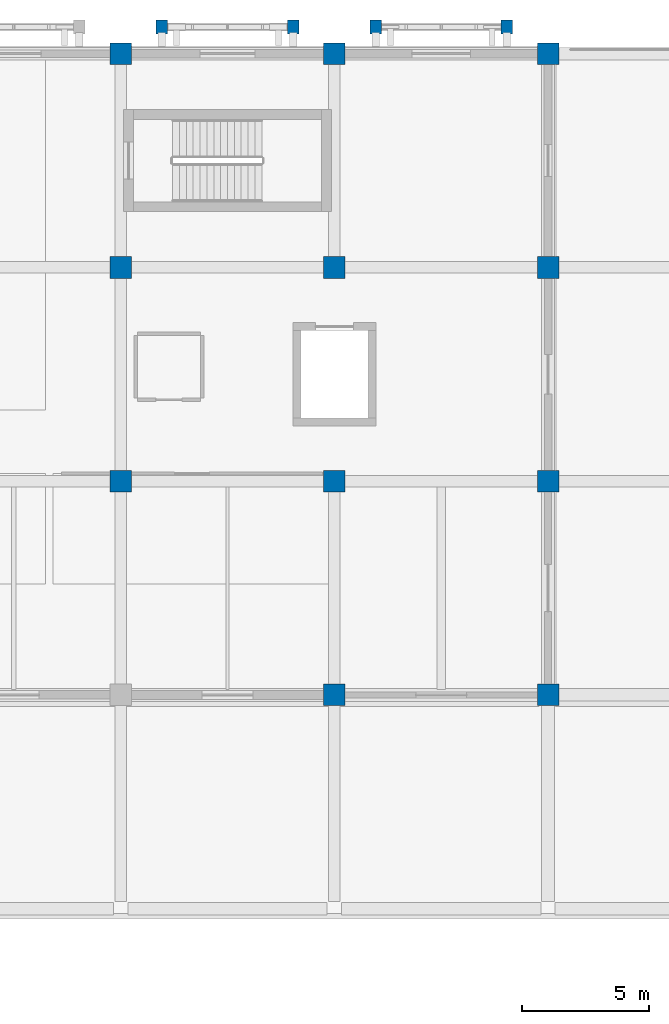
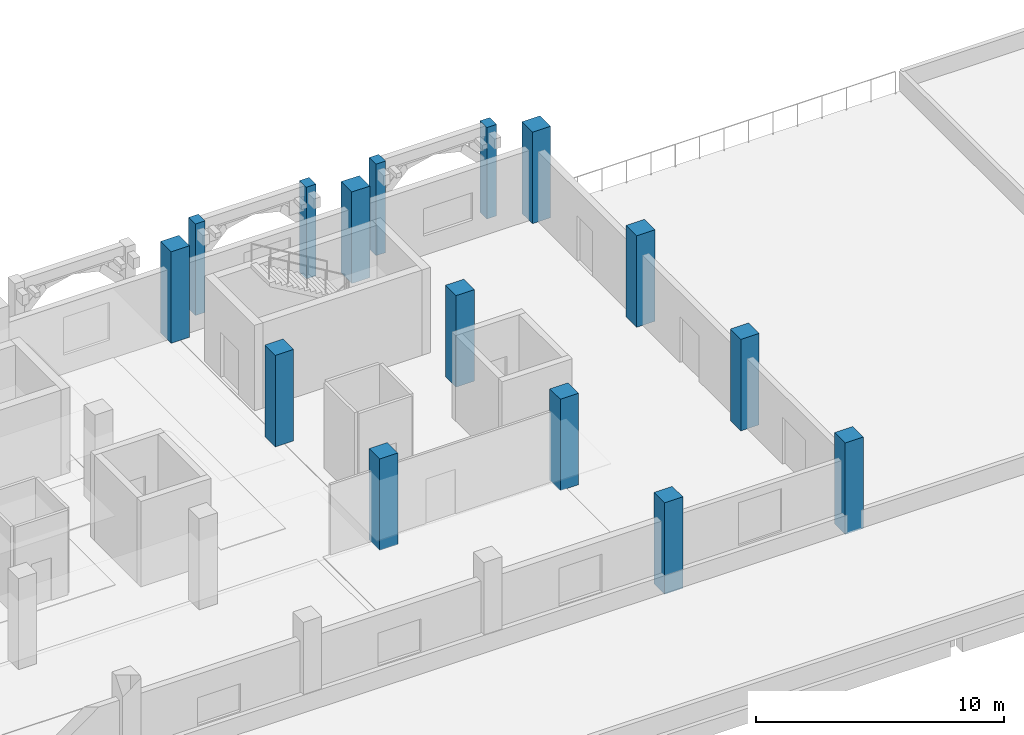
# One storey, part 2 of 129: 15 columns.
"""IFC4 building model written with IfcOpenShell, lengths in metres."""

import ifcopenshell
import ifcopenshell.guid

model = None  # the IFC model being written
_history = None  # IfcOwnerHistory: only IFC2X3 demands one
_inside = {}  # id of a spatial element -> (the spatial element, [elements in it])
_under = {}  # id of a project, library or spatial element -> (it, [spatial elements below it])
_declared = {}  # id of a project -> (the project, [libraries it declares])
_typed = {}  # id of a type object -> (the type object, [elements of that type])
_made_of = {}  # id of a material, layer set ... -> (it, [elements and type objects made of it])


def new_model(schema):
    """Start an empty IFC model of exactly this schema.

    Asked for "IFC4X3", IfcOpenShell would pick the latest addendum, in which some entities
    have other attributes; the version numbers below select the first issue.
    IFC2X3 requires an IfcOwnerHistory on every rooted entity: one is made here for all.
    """
    global model, _history
    if schema == "IFC4X3":
        model = ifcopenshell.file(schema_version=(4, 3, 0, 0))
    else:
        model = ifcopenshell.file(schema=schema)
    _inside.clear()
    _under.clear()
    _declared.clear()
    _typed.clear()
    _made_of.clear()
    _history = None
    if model.schema == "IFC2X3":
        org = make("IfcOrganization", Name="unknown")
        user = make(
            "IfcPersonAndOrganization",
            ThePerson=make("IfcPerson", FamilyName="unknown"),
            TheOrganization=org,
        )
        app = make(
            "IfcApplication",
            ApplicationDeveloper=org,
            Version="unknown",
            ApplicationFullName="unknown",
            ApplicationIdentifier="unknown",
        )
        _history = make(
            "IfcOwnerHistory",
            OwningUser=user,
            OwningApplication=app,
            ChangeAction="ADDED",
            CreationDate=0,
        )
    return model


def make(cls, **values):
    """One entity of the class cls with the attributes given. An attribute that is None is left unset."""
    return model.create_entity(
        cls, **{name: value for name, value in values.items() if value is not None}
    )


def rooted(cls, **values):
    """An entity with a GlobalId (a new one), such as an element, a storey or a relation."""
    return make(cls, GlobalId=ifcopenshell.guid.new(), OwnerHistory=_history, **values)


def si_unit(unit_type, name, prefix=None):
    """IfcSIUnit, for example si_unit("LENGTHUNIT", "METRE", prefix="MILLI")."""
    return make("IfcSIUnit", UnitType=unit_type, Prefix=prefix, Name=name)


def assignment(units):
    """IfcUnitAssignment: the units of a project."""
    return None if units is None else make("IfcUnitAssignment", Units=units)


def point(xyz):
    """IfcCartesianPoint."""
    return None if xyz is None else make("IfcCartesianPoint", Coordinates=xyz)


def direction(xyz):
    """IfcDirection."""
    return None if xyz is None else make("IfcDirection", DirectionRatios=xyz)


def frame(location, z_axis=None, x_axis=None):
    """IfcAxis2Placement3D, a coordinate frame: its origin and axes. An axis left out is left unset."""
    return make(
        "IfcAxis2Placement3D",
        Location=point(location),
        Axis=direction(z_axis),
        RefDirection=direction(x_axis),
    )


def frame_2d(location, x_axis=None):
    """IfcAxis2Placement2D, a coordinate frame in the plane: its origin and x axis."""
    return make(
        "IfcAxis2Placement2D", Location=point(location), RefDirection=direction(x_axis)
    )


def origin():
    """The frame at (0, 0, 0) with its axes left unset."""
    return frame((0.0, 0.0, 0.0))


def origin_2d():
    """The frame at (0, 0) in the plane with its x axis left unset."""
    return frame_2d((0.0, 0.0))


def place(relative_to, where):
    """IfcLocalPlacement: puts the frame where relative to a parent placement (None: the world)."""
    return make(
        "IfcLocalPlacement", PlacementRelTo=relative_to, RelativePlacement=where
    )


def context(
    kind, dimensions, precision=None, world=None, true_north=None, identifier=None
):
    """IfcGeometricRepresentationContext, for example the 3D "Model" context."""
    return make(
        "IfcGeometricRepresentationContext",
        ContextIdentifier=identifier,
        ContextType=kind,
        CoordinateSpaceDimension=dimensions,
        Precision=precision,
        WorldCoordinateSystem=world,
        TrueNorth=true_north,
    )


def subcontext(parent, identifier, kind, view, scale=None):
    """IfcGeometricRepresentationSubContext, for example "Body" below "Model"."""
    return make(
        "IfcGeometricRepresentationSubContext",
        ContextIdentifier=identifier,
        ContextType=kind,
        ParentContext=parent,
        TargetScale=scale,
        TargetView=view,
    )


def project(units=None, contexts=None):
    """IfcProject with its units and contexts."""
    return rooted(
        "IfcProject",
        Name="project",
        RepresentationContexts=contexts,
        UnitsInContext=assignment(units),
    )


def spatial(cls, under=None, at=None, **own):
    """A site, building, storey or space (cls), placed at a placement, below another one or the project."""
    s = rooted(cls, ObjectPlacement=at, **own)
    if under is not None:
        _under.setdefault(under.id(), (under, []))[1].append(s)
    return s


def profile(cls, at=None, kind="AREA", **sizes):
    """A parametric profile (cls). Its sizes go by their IFC names, for example OverallWidth=200.0."""
    return make(cls, ProfileType=kind, Position=at, **sizes)


def rectangle(**sizes):
    """IfcRectangleProfileDef."""
    return profile("IfcRectangleProfileDef", **sizes)


def extrude(swept, where, along, depth):
    """IfcExtrudedAreaSolid: the profile swept, set in the frame where, extruded along a direction by depth."""
    return make(
        "IfcExtrudedAreaSolid",
        SweptArea=swept,
        Position=where,
        ExtrudedDirection=direction(along),
        Depth=depth,
    )


def shape(context_of_items, identifier, shape_type, items):
    """IfcShapeRepresentation: the items that make up one representation, for example the "Body"."""
    return make(
        "IfcShapeRepresentation",
        ContextOfItems=context_of_items,
        RepresentationIdentifier=identifier,
        RepresentationType=shape_type,
        Items=items,
    )


def material(Name=None, Category=None):
    """IfcMaterial."""
    return make("IfcMaterial", Name=Name, Category=Category)


def material_profile(
    of_material, cross_section, Name=None, Category=None, Priority=None
):
    """IfcMaterialProfile: a cross section and its material."""
    return make(
        "IfcMaterialProfile",
        Name=Name,
        Material=of_material,
        Profile=cross_section,
        Priority=Priority,
        Category=Category,
    )


def profile_set(profiles, Name=None, composite=None):
    """IfcMaterialProfileSet."""
    return make(
        "IfcMaterialProfileSet",
        Name=Name,
        MaterialProfiles=profiles,
        CompositeProfile=composite,
    )


def made_of(thing, what):
    """Note that an element or type object is made of a material, layer set ...; save() writes the relation."""
    if what is not None:
        _made_of.setdefault(what.id(), (what, []))[1].append(thing)
    return thing


def type_object(cls, material=None, **own):
    """A type object (cls), such as IfcWallType, which elements share."""
    return made_of(rooted(cls, **own), material)


def element(
    cls,
    number,
    at=None,
    inside=None,
    cuts=None,
    type_object=None,
    material=None,
    context=None,
    identifier="Body",
    shape_type=None,
    held_by="IfcProductDefinitionShape",
    body=None,
    shapes=None,
    **own,
):
    """One element of the class cls, such as IfcWall. Its Tag is "e" and its number.

    at: its placement. inside: the storey or other place that contains it. cuts: it is an
    opening in that element (IfcRelVoidsElement). A single representation is given by context,
    identifier, shape_type and body (its items); several are given by shapes. held_by: the class
    of the entity that holds the representations. save() writes the other relations.
    """
    e = rooted(cls, Tag="e%d" % number, ObjectPlacement=at, **own)
    if body is not None:
        shapes = [shape(context, identifier, shape_type, body)]
    if shapes is not None:
        e.Representation = make(held_by, Representations=shapes)
    if inside is not None:
        _inside.setdefault(inside.id(), (inside, []))[1].append(e)
    if cuts is not None:
        rooted(
            "IfcRelVoidsElement", RelatingBuildingElement=cuts, RelatedOpeningElement=e
        )
    if type_object is not None:
        _typed.setdefault(type_object.id(), (type_object, []))[1].append(e)
    return made_of(e, material)


def aggregate(whole, parts):
    """IfcRelAggregates: a whole, such as a stair, and the parts it consists of."""
    return rooted("IfcRelAggregates", RelatingObject=whole, RelatedObjects=parts)


def save(model, path):
    """Write the relations noted so far, then the file.

    IfcRelAggregates (storeys below a building ...), IfcRelContainedInSpatialStructure (elements
    in a storey), IfcRelDefinesByType, IfcRelAssociatesMaterial and IfcRelDeclares: one each for
    every whole, place, type object, material and project.
    """
    for whole, parts in _under.values():
        aggregate(whole, parts)
    for where, things in _inside.values():
        rooted(
            "IfcRelContainedInSpatialStructure",
            RelatedElements=things,
            RelatingStructure=where,
        )
    for kind, things in _typed.values():
        rooted("IfcRelDefinesByType", RelatedObjects=things, RelatingType=kind)
    for what, things in _made_of.values():
        rooted("IfcRelAssociatesMaterial", RelatedObjects=things, RelatingMaterial=what)
    for by, libraries in _declared.values():
        rooted("IfcRelDeclares", RelatingContext=by, RelatedDefinitions=libraries)
    model.write(path)


model = new_model("IFC4")

# Units and contexts
model_context = context("Model", 3, precision=1e-05, world=origin(), true_north=direction((0.0, 1.0)))
body_context = subcontext(model_context, "Body", "Model", "MODEL_VIEW")
ifc_project = project(units=[si_unit("LENGTHUNIT", "METRE"), si_unit("AREAUNIT", "SQUARE_METRE"), si_unit("VOLUMEUNIT", "CUBIC_METRE"), si_unit("PLANEANGLEUNIT", "RADIAN"), si_unit("MASSUNIT", "GRAM", prefix="KILO")], contexts=[model_context])

# Site, building, storey
site_placement = place(None, origin())
site = spatial("IfcSite", under=ifc_project, at=site_placement, CompositionType="ELEMENT")
building_placement = place(site_placement, origin())
building = spatial("IfcBuilding", under=site, at=building_placement, Name="Xazarin Passage Department Store", CompositionType="ELEMENT")
storey_placement = place(building_placement, frame((0.0, 0.0, 9.89990234375)))
storey = spatial("IfcBuildingStorey", under=building, at=storey_placement, Name="L02", CompositionType="ELEMENT", Elevation=9.89990234375)

# Columns
ifc_material = material(Name="Concrete C40/50", Category="concrete")
ifc_material_profile_1 = material_profile(ifc_material, rectangle(XDim=0.85009765625, YDim=0.85009765625, at=origin_2d()), Name="RC 850x850")
ifc_profile_set_1 = profile_set([ifc_material_profile_1], Name="Concrete C40/50")
column_type_1 = type_object("IfcColumnType", Name="STR-COL-RC850", PredefinedType="COLUMN", material=ifc_profile_set_1)
for number, where, z_axis, x_axis, name in (
    (1, (136.0, 84.800048828125, 0.0), (0.0, 0.0, 1.0), (1.0, 0.0, 0.0), "L02 Column 19/M"),
    (2, (144.39990234375, 84.800048828125, 0.0), (0.0, 0.0, 1.0), (1.0, 0.0, 0.0), "L02 Column 20/M"),
    (3, (127.60009765625, 93.199951171875, 0.0), (0.0, 0.0, 1.0), (1.0, 0.0, 0.0), "L02 Column 18/N"),
    (4, (136.0, 93.199951171875, 0.0), (0.0, 0.0, 1.0), (1.0, 0.0, 0.0), "L02 Column 19/N"),
    (5, (144.39990234375, 93.199951171875, 0.0), (0.0, 0.0, 1.0), (1.0, 0.0, 0.0), "L02 Column 20/N"),
    (6, (127.60009765625, 101.60009765625, 0.0), (0.0, 0.0, 1.0), (1.0, 0.0, 0.0), "L02 Column 18/P"),
    (7, (136.0, 101.60009765625, 0.0), (0.0, 0.0, 1.0), (1.0, 0.0, 0.0), "L02 Column 19/P"),
    (8, (144.39990234375, 101.60009765625, 0.0), (0.0, 0.0, 1.0), (1.0, 0.0, 0.0), "L02 Column 20/P"),
    (9, (127.60009765625, 110.0, 0.0), (0.0, 0.0, 1.0), (1.0, 0.0, 0.0), "L02 Column 18/Q"),
    (10, (136.0, 110.0, 0.0), (0.0, 0.0, 1.0), (1.0, 0.0, 0.0), "L02 Column 19/Q"),
    (11, (144.39990234375, 110.0, 0.0), (0.0, 0.0, 1.0), (1.0, 0.0, 0.0), "L02 Column 20/Q"),
):
    element("IfcColumn", number, at=place(storey_placement, frame(where, z_axis=z_axis, x_axis=x_axis)), inside=storey, type_object=column_type_1, Name=name, PredefinedType="COLUMN", context=body_context, shape_type="SweptSolid", body=[
        extrude(rectangle(XDim=0.85009765625, YDim=0.85009765625, at=origin_2d()), origin(), (0.0, 0.0, 1.0), 4.5),
    ])
ifc_material_profile_2 = material_profile(ifc_material, rectangle(XDim=0.449951171875, YDim=0.550048828125, at=origin_2d()), Name="RC 450x550")
ifc_profile_set_2 = profile_set([ifc_material_profile_2], Name="Concrete C40/50")
column_type_2 = type_object("IfcColumnType", Name="STR-PIL-RC450", PredefinedType="PILASTER", material=ifc_profile_set_2)
for number, where, z_axis, x_axis, name in (
    (12, (129.219970703125, 111.050048828125, 0.0), (0.0, 0.0, 1.0), (1.0, 0.0, 0.0), "L02 V4 Pierced-Arch Colonnade Pier 043L"),
    (13, (134.3798828125, 111.050048828125, 0.0), (0.0, 0.0, 1.0), (1.0, 0.0, 0.0), "L02 V4 Pierced-Arch Colonnade Pier 043R"),
    (14, (137.6201171875, 111.050048828125, 0.0), (0.0, 0.0, 1.0), (1.0, 0.0, 0.0), "L02 V4 Pierced-Arch Colonnade Pier 044L"),
    (15, (142.780029296875, 111.050048828125, 0.0), (0.0, 0.0, 1.0), (1.0, 0.0, 0.0), "L02 V4 Pierced-Arch Colonnade Pier 044R"),
):
    element("IfcColumn", number, at=place(storey_placement, frame(where, z_axis=z_axis, x_axis=x_axis)), inside=storey, type_object=column_type_2, Name=name, PredefinedType="PILASTER", context=body_context, shape_type="SweptSolid", body=[
        extrude(rectangle(XDim=0.449951171875, YDim=0.550048828125, at=origin_2d()), origin(), (0.0, 0.0, 1.0), 4.5),
    ])

save(model, "model.ifc")
